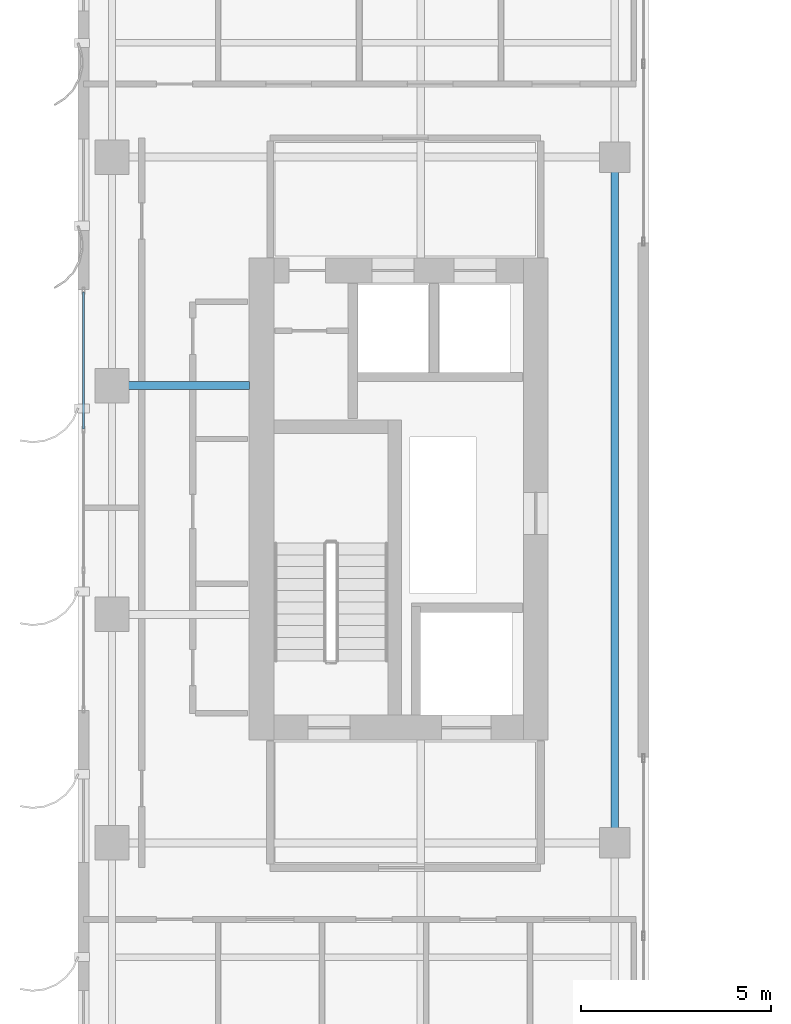
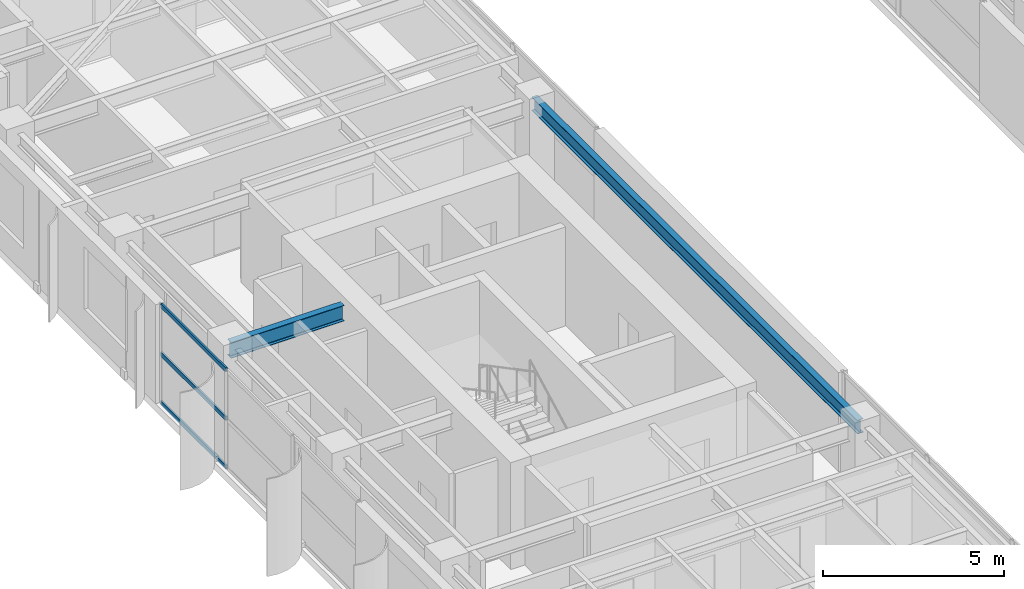
# One storey, part 7 of 22: 3 members, 2 beams, 1 element without a shape of its own.
"""IFC4 building model written with IfcOpenShell, lengths in metres."""

import ifcopenshell
import ifcopenshell.guid

model = None  # the IFC model being written
_history = None  # IfcOwnerHistory: only IFC2X3 demands one
_inside = {}  # id of a spatial element -> (the spatial element, [elements in it])
_under = {}  # id of a project, library or spatial element -> (it, [spatial elements below it])
_declared = {}  # id of a project -> (the project, [libraries it declares])
_typed = {}  # id of a type object -> (the type object, [elements of that type])
_made_of = {}  # id of a material, layer set ... -> (it, [elements and type objects made of it])


def new_model(schema):
    """Start an empty IFC model of exactly this schema.

    Asked for "IFC4X3", IfcOpenShell would pick the latest addendum, in which some entities
    have other attributes; the version numbers below select the first issue.
    IFC2X3 requires an IfcOwnerHistory on every rooted entity: one is made here for all.
    """
    global model, _history
    if schema == "IFC4X3":
        model = ifcopenshell.file(schema_version=(4, 3, 0, 0))
    else:
        model = ifcopenshell.file(schema=schema)
    _inside.clear()
    _under.clear()
    _declared.clear()
    _typed.clear()
    _made_of.clear()
    _history = None
    if model.schema == "IFC2X3":
        org = make("IfcOrganization", Name="unknown")
        user = make(
            "IfcPersonAndOrganization",
            ThePerson=make("IfcPerson", FamilyName="unknown"),
            TheOrganization=org,
        )
        app = make(
            "IfcApplication",
            ApplicationDeveloper=org,
            Version="unknown",
            ApplicationFullName="unknown",
            ApplicationIdentifier="unknown",
        )
        _history = make(
            "IfcOwnerHistory",
            OwningUser=user,
            OwningApplication=app,
            ChangeAction="ADDED",
            CreationDate=0,
        )
    return model


def make(cls, **values):
    """One entity of the class cls with the attributes given. An attribute that is None is left unset."""
    return model.create_entity(
        cls, **{name: value for name, value in values.items() if value is not None}
    )


def rooted(cls, **values):
    """An entity with a GlobalId (a new one), such as an element, a storey or a relation."""
    return make(cls, GlobalId=ifcopenshell.guid.new(), OwnerHistory=_history, **values)


def si_unit(unit_type, name, prefix=None):
    """IfcSIUnit, for example si_unit("LENGTHUNIT", "METRE", prefix="MILLI")."""
    return make("IfcSIUnit", UnitType=unit_type, Prefix=prefix, Name=name)


def assignment(units):
    """IfcUnitAssignment: the units of a project."""
    return None if units is None else make("IfcUnitAssignment", Units=units)


def point(xyz):
    """IfcCartesianPoint."""
    return None if xyz is None else make("IfcCartesianPoint", Coordinates=xyz)


def direction(xyz):
    """IfcDirection."""
    return None if xyz is None else make("IfcDirection", DirectionRatios=xyz)


def frame(location, z_axis=None, x_axis=None):
    """IfcAxis2Placement3D, a coordinate frame: its origin and axes. An axis left out is left unset."""
    return make(
        "IfcAxis2Placement3D",
        Location=point(location),
        Axis=direction(z_axis),
        RefDirection=direction(x_axis),
    )


def frame_2d(location, x_axis=None):
    """IfcAxis2Placement2D, a coordinate frame in the plane: its origin and x axis."""
    return make(
        "IfcAxis2Placement2D", Location=point(location), RefDirection=direction(x_axis)
    )


def origin():
    """The frame at (0, 0, 0) with its axes left unset."""
    return frame((0.0, 0.0, 0.0))


def origin_2d():
    """The frame at (0, 0) in the plane with its x axis left unset."""
    return frame_2d((0.0, 0.0))


def place(relative_to, where):
    """IfcLocalPlacement: puts the frame where relative to a parent placement (None: the world)."""
    return make(
        "IfcLocalPlacement", PlacementRelTo=relative_to, RelativePlacement=where
    )


def context(
    kind, dimensions, precision=None, world=None, true_north=None, identifier=None
):
    """IfcGeometricRepresentationContext, for example the 3D "Model" context."""
    return make(
        "IfcGeometricRepresentationContext",
        ContextIdentifier=identifier,
        ContextType=kind,
        CoordinateSpaceDimension=dimensions,
        Precision=precision,
        WorldCoordinateSystem=world,
        TrueNorth=true_north,
    )


def subcontext(parent, identifier, kind, view, scale=None):
    """IfcGeometricRepresentationSubContext, for example "Body" below "Model"."""
    return make(
        "IfcGeometricRepresentationSubContext",
        ContextIdentifier=identifier,
        ContextType=kind,
        ParentContext=parent,
        TargetScale=scale,
        TargetView=view,
    )


def project(units=None, contexts=None):
    """IfcProject with its units and contexts."""
    return rooted(
        "IfcProject",
        Name="project",
        RepresentationContexts=contexts,
        UnitsInContext=assignment(units),
    )


def spatial(cls, under=None, at=None, **own):
    """A site, building, storey or space (cls), placed at a placement, below another one or the project."""
    s = rooted(cls, ObjectPlacement=at, **own)
    if under is not None:
        _under.setdefault(under.id(), (under, []))[1].append(s)
    return s


def profile(cls, at=None, kind="AREA", **sizes):
    """A parametric profile (cls). Its sizes go by their IFC names, for example OverallWidth=200.0."""
    return make(cls, ProfileType=kind, Position=at, **sizes)


def hollow_rectangle(**sizes):
    """IfcRectangleHollowProfileDef."""
    return profile("IfcRectangleHollowProfileDef", **sizes)


def i_section(**sizes):
    """IfcIShapeProfileDef."""
    return profile("IfcIShapeProfileDef", **sizes)


def extrude(swept, where, along, depth):
    """IfcExtrudedAreaSolid: the profile swept, set in the frame where, extruded along a direction by depth."""
    return make(
        "IfcExtrudedAreaSolid",
        SweptArea=swept,
        Position=where,
        ExtrudedDirection=direction(along),
        Depth=depth,
    )


def shape(context_of_items, identifier, shape_type, items):
    """IfcShapeRepresentation: the items that make up one representation, for example the "Body"."""
    return make(
        "IfcShapeRepresentation",
        ContextOfItems=context_of_items,
        RepresentationIdentifier=identifier,
        RepresentationType=shape_type,
        Items=items,
    )


def source(mapping_origin, context_of_items, identifier, shape_type, items):
    """IfcRepresentationMap: a shape defined once, which mapped items show again and again."""
    return make(
        "IfcRepresentationMap",
        MappingOrigin=mapping_origin,
        MappedRepresentation=shape(context_of_items, identifier, shape_type, items),
    )


def transform(
    local_origin,
    x_axis=None,
    y_axis=None,
    z_axis=None,
    scale=None,
    scale2=None,
    scale3=None,
    uniform=True,
):
    """IfcCartesianTransformationOperator3D, or its non-uniform kind. x_axis, y_axis, z_axis: its Axis1, 2, 3."""
    if uniform:
        return make(
            "IfcCartesianTransformationOperator3D",
            Axis1=direction(x_axis),
            Axis2=direction(y_axis),
            LocalOrigin=point(local_origin),
            Scale=scale,
            Axis3=direction(z_axis),
        )
    return make(
        "IfcCartesianTransformationOperator3DnonUniform",
        Axis1=direction(x_axis),
        Axis2=direction(y_axis),
        LocalOrigin=point(local_origin),
        Scale=scale,
        Axis3=direction(z_axis),
        Scale2=scale2,
        Scale3=scale3,
    )


def mapped(mapping_source, mapping_target):
    """IfcMappedItem: shows the shape of a source again, moved by a transform."""
    return make(
        "IfcMappedItem", MappingSource=mapping_source, MappingTarget=mapping_target
    )


def material(Name=None, Category=None):
    """IfcMaterial."""
    return make("IfcMaterial", Name=Name, Category=Category)


def layer(
    of_material, thickness, ventilated=None, Name=None, Category=None, Priority=None
):
    """IfcMaterialLayer: one layer of a wall or slab, of a material (None: an air gap)."""
    return make(
        "IfcMaterialLayer",
        Material=of_material,
        LayerThickness=thickness,
        IsVentilated=ventilated,
        Name=Name,
        Category=Category,
        Priority=Priority,
    )


def layer_set(layers, Name=None):
    """IfcMaterialLayerSet."""
    return make("IfcMaterialLayerSet", MaterialLayers=layers, LayerSetName=Name)


def material_profile(
    of_material, cross_section, Name=None, Category=None, Priority=None
):
    """IfcMaterialProfile: a cross section and its material."""
    return make(
        "IfcMaterialProfile",
        Name=Name,
        Material=of_material,
        Profile=cross_section,
        Priority=Priority,
        Category=Category,
    )


def profile_set(profiles, Name=None, composite=None):
    """IfcMaterialProfileSet."""
    return make(
        "IfcMaterialProfileSet",
        Name=Name,
        MaterialProfiles=profiles,
        CompositeProfile=composite,
    )


def made_of(thing, what):
    """Note that an element or type object is made of a material, layer set ...; save() writes the relation."""
    if what is not None:
        _made_of.setdefault(what.id(), (what, []))[1].append(thing)
    return thing


def type_object(cls, material=None, **own):
    """A type object (cls), such as IfcWallType, which elements share."""
    return made_of(rooted(cls, **own), material)


def element(
    cls,
    number,
    at=None,
    inside=None,
    cuts=None,
    type_object=None,
    material=None,
    context=None,
    identifier="Body",
    shape_type=None,
    held_by="IfcProductDefinitionShape",
    body=None,
    shapes=None,
    **own,
):
    """One element of the class cls, such as IfcWall. Its Tag is "e" and its number.

    at: its placement. inside: the storey or other place that contains it. cuts: it is an
    opening in that element (IfcRelVoidsElement). A single representation is given by context,
    identifier, shape_type and body (its items); several are given by shapes. held_by: the class
    of the entity that holds the representations. save() writes the other relations.
    """
    e = rooted(cls, Tag="e%d" % number, ObjectPlacement=at, **own)
    if body is not None:
        shapes = [shape(context, identifier, shape_type, body)]
    if shapes is not None:
        e.Representation = make(held_by, Representations=shapes)
    if inside is not None:
        _inside.setdefault(inside.id(), (inside, []))[1].append(e)
    if cuts is not None:
        rooted(
            "IfcRelVoidsElement", RelatingBuildingElement=cuts, RelatedOpeningElement=e
        )
    if type_object is not None:
        _typed.setdefault(type_object.id(), (type_object, []))[1].append(e)
    return made_of(e, material)


def aggregate(whole, parts):
    """IfcRelAggregates: a whole, such as a stair, and the parts it consists of."""
    return rooted("IfcRelAggregates", RelatingObject=whole, RelatedObjects=parts)


def save(model, path):
    """Write the relations noted so far, then the file.

    IfcRelAggregates (storeys below a building ...), IfcRelContainedInSpatialStructure (elements
    in a storey), IfcRelDefinesByType, IfcRelAssociatesMaterial and IfcRelDeclares: one each for
    every whole, place, type object, material and project.
    """
    for whole, parts in _under.values():
        aggregate(whole, parts)
    for where, things in _inside.values():
        rooted(
            "IfcRelContainedInSpatialStructure",
            RelatedElements=things,
            RelatingStructure=where,
        )
    for kind, things in _typed.values():
        rooted("IfcRelDefinesByType", RelatedObjects=things, RelatingType=kind)
    for what, things in _made_of.values():
        rooted("IfcRelAssociatesMaterial", RelatedObjects=things, RelatingMaterial=what)
    for by, libraries in _declared.values():
        rooted("IfcRelDeclares", RelatingContext=by, RelatedDefinitions=libraries)
    model.write(path)


model = new_model("IFC4")

# Units and contexts
model_context = context("Model", 3, precision=1e-05, world=origin(), true_north=direction((0.0, 1.0)))
body_context = subcontext(model_context, "Body", "Model", "MODEL_VIEW")
ifc_project = project(units=[si_unit("LENGTHUNIT", "METRE"), si_unit("AREAUNIT", "SQUARE_METRE"), si_unit("VOLUMEUNIT", "CUBIC_METRE"), si_unit("PLANEANGLEUNIT", "RADIAN"), si_unit("MASSUNIT", "GRAM", prefix="KILO")], contexts=[model_context])

# Site, building, storey
site_placement = place(None, origin())
site = spatial("IfcSite", under=ifc_project, at=site_placement, CompositionType="ELEMENT")
building_placement = place(site_placement, origin())
building = spatial("IfcBuilding", under=site, at=building_placement, Name="Khoralis Quay Care Tower", CompositionType="ELEMENT")
storey_placement = place(building_placement, frame((0.0, 0.0, 188.10009765625)))
storey = spatial("IfcBuildingStorey", under=building, at=storey_placement, Name="L49", CompositionType="ELEMENT", Elevation=188.10009765625)

# Beams
ifc_material_1 = material(Name="Steel S355", Category="steel")
ifc_material_profile_1 = material_profile(ifc_material_1, i_section(OverallWidth=0.208984375, OverallDepth=0.532958984375, WebThickness=0.01025390625, FlangeThickness=0.015625, FilletRadius=0.01611328125, at=origin_2d()), Name="Steel S355")
ifc_profile_set_1 = profile_set([ifc_material_profile_1], Name="Steel S355")
beam_type_1 = type_object("IfcBeamType", Name="BM-W530X92", PredefinedType="BEAM", material=ifc_profile_set_1)
shared_shape_1 = source(origin(), body_context, "Body", "SweptSolid", [
    extrude(i_section(OverallWidth=0.208984375, OverallDepth=0.532958984375, WebThickness=0.01025390625, FlangeThickness=0.015625, FilletRadius=0.01611328125, at=origin_2d()), origin(), (0.0, 0.0, 1.0), 3.60205078125),
])
beam_1_placement = place(storey_placement, frame((3.89990234375, 24.0, 3.073486328125), z_axis=(1.0, 0.0, 0.0), x_axis=(0.0, 1.0, 0.0)))
element("IfcBeam", 1, at=beam_1_placement, inside=storey, type_object=beam_type_1, Name="BM-TGXW-L49-240", PredefinedType="BEAM", context=body_context, shape_type="MappedRepresentation", body=[
    mapped(shared_shape_1, transform((0.0, 0.0, 0.0), scale=1.0)),
])
ifc_material_profile_2 = material_profile(ifc_material_1, i_section(OverallWidth=0.19189453125, OverallDepth=0.462890625, WebThickness=0.010498046875, FlangeThickness=0.017578125, FilletRadius=0.014892578125, at=origin_2d()), Name="Steel S355")
ifc_profile_set_2 = profile_set([ifc_material_profile_2], Name="Steel S355")
beam_type_2 = type_object("IfcBeamType", Name="BM-W460X89", PredefinedType="BEAM", material=ifc_profile_set_2)
shared_shape_2 = source(origin(), body_context, "Body", "SweptSolid", [
    extrude(i_section(OverallWidth=0.19189453125, OverallDepth=0.462890625, WebThickness=0.010498046875, FlangeThickness=0.017578125, FilletRadius=0.014892578125, at=origin_2d()), origin(), (0.0, 0.0, 1.0), 18.0),
])
beam_2_placement = place(storey_placement, frame((17.10009765625, 12.0, 3.1083984375), z_axis=(0.0, 1.0, 0.0), x_axis=(-1.0, 0.0, 0.0)))
element("IfcBeam", 2, at=beam_2_placement, inside=storey, type_object=beam_type_2, Name="BM-TGSW-L49", PredefinedType="BEAM", context=body_context, shape_type="MappedRepresentation", body=[
    mapped(shared_shape_2, transform((0.0, 0.0, 0.0), scale=1.0)),
])

# Curtain wall, members
ifc_material_2 = material(Name="Pale anodised aluminium", Category="aluminium")
ifc_layer = layer(ifc_material_2, 0.159912109375)
ifc_layer_set = layer_set([ifc_layer], Name="Pale anodised aluminium")
curtain_wall_type = type_object("IfcCurtainWallType", Name="CW-SYS-Z3", PredefinedType="NOTDEFINED", material=ifc_layer_set)
curtain_wall_placement = place(storey_placement, origin())
curtain_wall = element("IfcCurtainWall", 3, at=curtain_wall_placement, inside=storey, type_object=curtain_wall_type, Name="L49 Unitised Curtain Wall CW-L49-P1-E7", PredefinedType="NOTDEFINED")
ifc_material_profile_3 = material_profile(ifc_material_2, hollow_rectangle(XDim=0.06005859375, YDim=0.139892578125, WallThickness=0.00390625, at=origin_2d()), Name="Pale anodised aluminium")
ifc_profile_set_3 = profile_set([ifc_material_profile_3], Name="Pale anodised aluminium")
member_type = type_object("IfcMemberType", Name="CW-TRN-140", PredefinedType="USERDEFINED", material=ifc_profile_set_3)
shared_shape_3 = source(origin(), body_context, "Body", "SweptSolid", [
    extrude(hollow_rectangle(XDim=0.06005859375, YDim=0.139892578125, WallThickness=0.00390625, at=origin_2d()), origin(), (0.0, 0.0, 1.0), 3.58984375),
])
member_1_placement = place(storey_placement, frame((3.14990234375, 26.4599609375, 0.02978515625), z_axis=(0.0, -1.0, 0.0), x_axis=(1.0, 0.0, 0.0)))
member_1 = element("IfcMember", 4, at=member_1_placement, type_object=member_type, Name="CW3 transom 1.1", ObjectType="TRANSOM", PredefinedType="USERDEFINED", context=body_context, shape_type="MappedRepresentation", body=[
    mapped(shared_shape_3, transform((0.0, 0.0, 0.0), scale=1.0)),
])
member_2_placement = place(storey_placement, frame((3.14990234375, 26.4599609375, 1.669921875), z_axis=(0.0, -1.0, 0.0), x_axis=(1.0, 0.0, 0.0)))
member_2 = element("IfcMember", 5, at=member_2_placement, type_object=member_type, Name="CW3 transom 1.2", ObjectType="TRANSOM", PredefinedType="USERDEFINED", context=body_context, shape_type="MappedRepresentation", body=[
    mapped(shared_shape_3, transform((0.0, 0.0, 0.0), scale=1.0)),
])
member_3_placement = place(storey_placement, frame((3.14990234375, 26.4599609375, 3.309814453125), z_axis=(0.0, -1.0, 0.0), x_axis=(1.0, 0.0, 0.0)))
member_3 = element("IfcMember", 6, at=member_3_placement, type_object=member_type, Name="CW3 transom 1.3", ObjectType="TRANSOM", PredefinedType="USERDEFINED", context=body_context, shape_type="MappedRepresentation", body=[
    mapped(shared_shape_3, transform((0.0, 0.0, 0.0), scale=1.0)),
])
aggregate(curtain_wall, [member_1, member_2, member_3])

save(model, "model.ifc")
